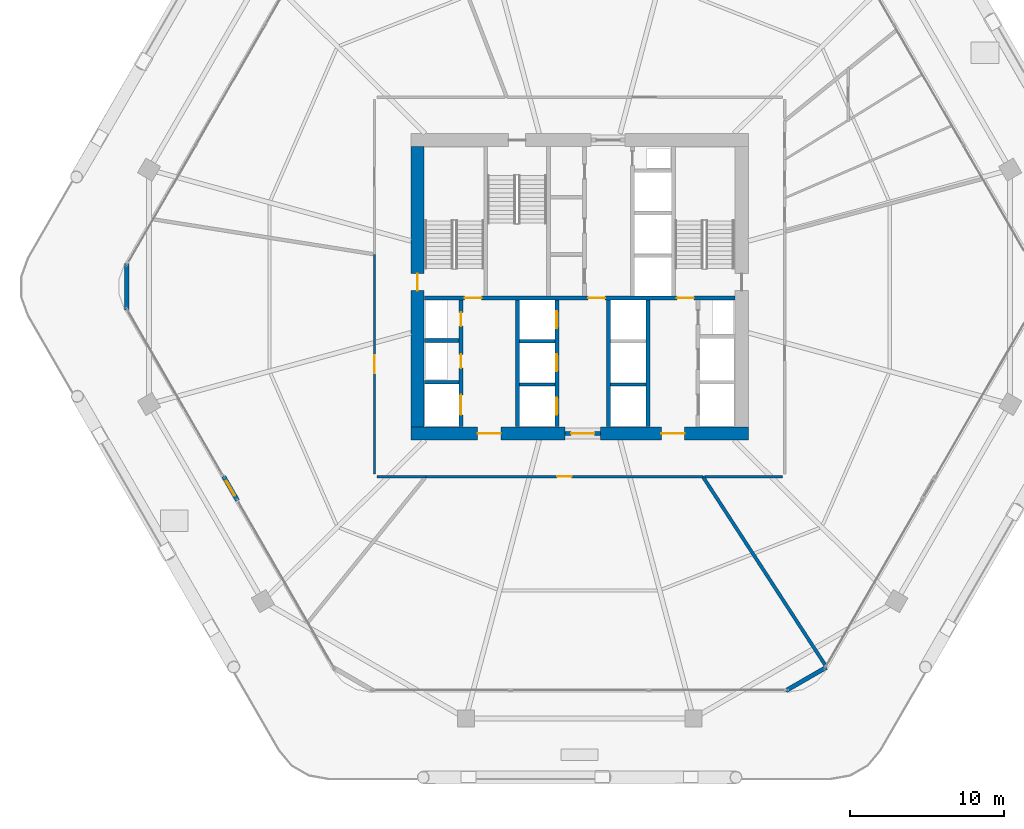
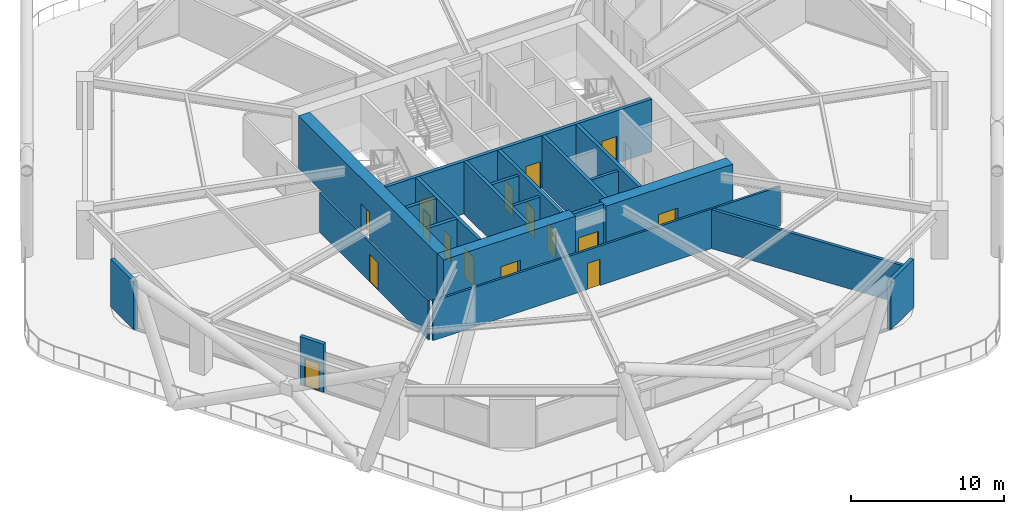
# One storey, part 23 of 28: 23 walls, 16 doors, 16 openings.
"""IFC4 building model written with IfcOpenShell, lengths in metres."""

from ifc_helpers import new_model, si_unit, direction, frame, frame_2d, origin, place, context, subcontext, project, spatial, rectangle, extrude, material, layer, layer_set, type_object, element, fill, save


model = new_model("IFC4")

# Units and contexts
model_context = context("Model", 3, precision=1e-05, world=origin(), true_north=direction((0.0, 1.0)))
body_context = subcontext(model_context, "Body", "Model", "MODEL_VIEW")
ifc_project = project(units=[si_unit("LENGTHUNIT", "METRE"), si_unit("AREAUNIT", "SQUARE_METRE"), si_unit("VOLUMEUNIT", "CUBIC_METRE"), si_unit("PLANEANGLEUNIT", "RADIAN"), si_unit("MASSUNIT", "GRAM", prefix="KILO")], contexts=[model_context])

# Site, building, storey
site_placement = place(None, origin())
site = spatial("IfcSite", under=ifc_project, at=site_placement, CompositionType="ELEMENT")
building_placement = place(site_placement, origin())
building = spatial("IfcBuilding", under=site, at=building_placement, Name="Zuhravey Tower", CompositionType="ELEMENT")
storey_placement = place(building_placement, frame((0.0, 0.0, 83.39990234375)))
storey = spatial("IfcBuildingStorey", under=building, at=storey_placement, Name="L20", CompositionType="ELEMENT", Elevation=83.39990234375)

# Wall, opening, door
ifc_material_1 = material(Name="Concrete C60/75", Category="concrete")
ifc_layer_1 = layer(ifc_material_1, 0.85009765625)
ifc_layer_set_1 = layer_set([ifc_layer_1], Name="Concrete C60/75")
wall_type_1 = type_object("IfcWallType", Name="Core Shear Wall 850", PredefinedType="SHEAR", material=ifc_layer_set_1)
wall_1_placement = place(storey_placement, frame((25.074951171875, 22.5, 0.0), z_axis=(0.0, 0.0, 1.0), x_axis=(1.0, 0.0, 0.0)))
wall_1 = element("IfcWall", 1, at=wall_1_placement, inside=storey, type_object=wall_type_1, Name="L20 South-West Core Shear Wall CW85", PredefinedType="SHEAR", context=body_context, shape_type="SweptSolid", body=[
    extrude(rectangle(XDim=9.97509765625, YDim=0.85009765625, at=frame_2d((4.987548828125, 0.0))), origin(), (0.0, 0.0, 1.0), 4.2001953125),
])
opening_1_placement = place(wall_1_placement, frame((4.324951171875, 0.0, 0.0)))
opening_1 = element("IfcOpeningElement", 2, at=opening_1_placement, cuts=wall_1, Name="Opening FFD1", PredefinedType="OPENING", context=body_context, shape_type="SweptSolid", body=[
    extrude(rectangle(XDim=1.5, YDim=2.14990234375, at=frame_2d((0.75, 1.074951171875))), frame((0.0, 0.43701171875, 0.0), z_axis=(0.0, -1.0, 0.0), x_axis=(1.0, 0.0, 0.0)), (0.0, 0.0, 1.0), 0.8740234375),
])
ifc_material_2 = material(Name="Galvanised fire-rated steel leaf", Category="steel")
door_type_1 = type_object("IfcDoorType", Name="Firefighting Lobby Double Door 1500x2150", OperationType="DOUBLE_DOOR_SINGLE_SWING", PredefinedType="DOOR", material=ifc_material_2)
door_1_placement = place(opening_1_placement, origin())
door_1 = element("IfcDoor", 3, at=door_1_placement, inside=storey, type_object=door_type_1, Name="L20 Firefighting Lobby West Door", OperationType="DOUBLE_DOOR_SINGLE_SWING", OverallHeight=2.14990234375, OverallWidth=1.5, PredefinedType="DOOR", context=body_context, shape_type="SweptSolid", body=[
    extrude(rectangle(XDim=1.5, YDim=2.14990234375, at=frame_2d((0.75, 1.074951171875))), frame((0.0, 0.02490234375, 0.0), z_axis=(0.0, -1.0, 0.0), x_axis=(1.0, 0.0, 0.0)), (0.0, 0.0, 1.0), 0.050048828125),
])
fill(opening_1, door_1)

wall_2_placement = place(storey_placement, frame((37.35009765625, 22.5, 0.0), z_axis=(0.0, 0.0, 1.0), x_axis=(1.0, 0.0, 0.0)))
wall_2 = element("IfcWall", 4, at=wall_2_placement, inside=storey, type_object=wall_type_1, Name="L20 South-East Core Shear Wall CW85", PredefinedType="SHEAR", context=body_context, shape_type="SweptSolid", body=[
    extrude(rectangle(XDim=9.574951171875, YDim=0.85009765625, at=frame_2d((4.78759765625, 0.0))), origin(), (0.0, 0.0, 1.0), 4.2001953125),
])
opening_2_placement = place(wall_2_placement, frame((3.949951171875, 0.0, 0.0)))
opening_2 = element("IfcOpeningElement", 5, at=opening_2_placement, cuts=wall_2, Name="Opening FFD1", PredefinedType="OPENING", context=body_context, shape_type="SweptSolid", body=[
    extrude(rectangle(XDim=1.5, YDim=2.14990234375, at=frame_2d((0.75, 1.074951171875))), frame((0.0, 0.43701171875, 0.0), z_axis=(0.0, -1.0, 0.0), x_axis=(1.0, 0.0, 0.0)), (0.0, 0.0, 1.0), 0.8740234375),
])
door_2_placement = place(opening_2_placement, origin())
door_2 = element("IfcDoor", 6, at=door_2_placement, inside=storey, type_object=door_type_1, Name="L20 Firefighting Lobby East Door", OperationType="DOUBLE_DOOR_SINGLE_SWING", OverallHeight=2.14990234375, OverallWidth=1.5, PredefinedType="DOOR", context=body_context, shape_type="SweptSolid", body=[
    extrude(rectangle(XDim=1.5, YDim=2.14990234375, at=frame_2d((0.75, 1.074951171875))), frame((0.0, 0.02490234375, 0.0), z_axis=(0.0, -1.0, 0.0), x_axis=(1.0, 0.0, 0.0)), (0.0, 0.0, 1.0), 0.050048828125),
])
fill(opening_2, door_2)

wall_3_placement = place(storey_placement, frame((25.5, 22.925048828125, 0.0), z_axis=(0.0, 0.0, 1.0), x_axis=(0.0, 1.0, 0.0)))
wall_3 = element("IfcWall", 7, at=wall_3_placement, inside=storey, type_object=wall_type_1, Name="L20 West Core Shear Wall CW85", PredefinedType="SHEAR", context=body_context, shape_type="SweptSolid", body=[
    extrude(rectangle(XDim=18.14990234375, YDim=0.85009765625, at=frame_2d((9.074951171875, 0.0))), origin(), (0.0, 0.0, 1.0), 4.2001953125),
])
opening_3_placement = place(wall_3_placement, frame((8.824951171875, 0.0, 0.0)))
opening_3 = element("IfcOpeningElement", 8, at=opening_3_placement, cuts=wall_3, Name="Opening STD1", PredefinedType="OPENING", context=body_context, shape_type="SweptSolid", body=[
    extrude(rectangle(XDim=1.10009765625, YDim=2.14990234375, at=frame_2d((0.550048828125, 1.074951171875))), frame((0.0, 0.43701171875, 0.0), z_axis=(0.0, -1.0, 0.0), x_axis=(1.0, 0.0, 0.0)), (0.0, 0.0, 1.0), 0.8740234375),
])
door_type_2 = type_object("IfcDoorType", Name="Protected Stair Fire Door 1100x2150", OperationType="NOTDEFINED", PredefinedType="USERDEFINED", material=ifc_material_2)
door_3_placement = place(opening_3_placement, frame((1.10009765625, 0.0, 0.0), z_axis=(0.0, 0.0, 1.0), x_axis=(-1.0, 0.0, 0.0)))
door_3 = element("IfcDoor", 9, at=door_3_placement, inside=storey, type_object=door_type_2, Name="L20 Stair ST1 Door", ObjectType="EXITDOOR", OperationType="SINGLE_SWING_RIGHT", OverallHeight=2.14990234375, OverallWidth=1.10009765625, PredefinedType="USERDEFINED", context=body_context, shape_type="SweptSolid", body=[
    extrude(rectangle(XDim=1.10009765625, YDim=2.14990234375, at=frame_2d((0.550048828125, 1.074951171875))), frame((0.0, 0.02490234375, 0.0), z_axis=(0.0, -1.0, 0.0), x_axis=(1.0, 0.0, 0.0)), (0.0, 0.0, 1.0), 0.050048828125),
])
fill(opening_3, door_3)

ifc_material_3 = material(Name="Gypsum fire-rated stud partition")
ifc_layer_2 = layer(ifc_material_3, 0.159912109375)
ifc_layer_set_2 = layer_set([ifc_layer_2], Name="Gypsum fire-rated stud partition")
wall_type_2 = type_object("IfcWallType", Name="Corridor Fire Partition 160", PredefinedType="PARTITIONING", material=ifc_layer_set_2)
wall_4_placement = place(storey_placement, frame((22.715087890625, 34.10400390625, 0.0), z_axis=(0.0, 0.0, 1.0), x_axis=(0.0, -1.0, 0.0)))
wall_4 = element("IfcWall", 10, at=wall_4_placement, inside=storey, type_object=wall_type_2, Name="L20 IW16 Partition 025", PredefinedType="PARTITIONING", context=body_context, shape_type="SweptSolid", body=[
    extrude(rectangle(XDim=14.22900390625, YDim=0.159912109375, at=frame_2d((7.114501953125, 0.0))), origin(), (0.0, 0.0, 1.0), 3.150146484375),
])
opening_4_placement = place(wall_4_placement, frame((6.53955078125, 0.0, 0.0)))
opening_4 = element("IfcOpeningElement", 11, at=opening_4_placement, cuts=wall_4, Name="Opening CLD1", PredefinedType="OPENING", context=body_context, shape_type="SweptSolid", body=[
    extrude(rectangle(XDim=1.14990234375, YDim=2.199951171875, at=frame_2d((0.574951171875, 1.10009765625))), frame((0.0, 0.092041015625, 0.0), z_axis=(0.0, -1.0, 0.0), x_axis=(1.0, 0.0, 0.0)), (0.0, 0.0, 1.0), 0.183837890625),
])
ifc_material_4 = material(Name="Acoustic timber leaf with vision lite", Category="wood")
door_type_3 = type_object("IfcDoorType", Name="Classroom Acoustic Door 1150x2200", OperationType="NOTDEFINED", PredefinedType="DOOR", material=ifc_material_4)
door_4_placement = place(opening_4_placement, frame((1.14990234375, 0.0, 0.0), z_axis=(0.0, 0.0, 1.0), x_axis=(-1.0, 0.0, 0.0)))
door_4 = element("IfcDoor", 12, at=door_4_placement, inside=storey, type_object=door_type_3, Name="L20 Door 025.1", OperationType="SINGLE_SWING_RIGHT", OverallHeight=2.199951171875, OverallWidth=1.14990234375, PredefinedType="DOOR", context=body_context, shape_type="SweptSolid", body=[
    extrude(rectangle(XDim=1.14990234375, YDim=2.199951171875, at=frame_2d((0.574951171875, 1.10009765625))), frame((0.0, 0.02490234375, 0.0), z_axis=(0.0, -1.0, 0.0), x_axis=(1.0, 0.0, 0.0)), (0.0, 0.0, 1.0), 0.050048828125),
])
fill(opening_4, door_4)

wall_5_placement = place(storey_placement, frame((26.0517578125, 19.715087890625, 0.0), z_axis=(0.0, 0.0, 1.0), x_axis=(1.0, 0.0, 0.0)))
wall_5 = element("IfcWall", 13, at=wall_5_placement, inside=storey, type_object=wall_type_2, Name="L20 IW16 Partition 026", PredefinedType="PARTITIONING", context=body_context, shape_type="SweptSolid", body=[
    extrude(rectangle(XDim=17.92626953125, YDim=0.159912109375, at=frame_2d((8.963134765625, 0.0))), origin(), (0.0, 0.0, 1.0), 3.150146484375),
])
opening_5_placement = place(wall_5_placement, frame((8.488037109375, 0.0, 0.0)))
opening_5 = element("IfcOpeningElement", 14, at=opening_5_placement, cuts=wall_5, Name="Opening IND1", PredefinedType="OPENING", context=body_context, shape_type="SweptSolid", body=[
    extrude(rectangle(XDim=0.949951171875, YDim=2.10009765625, at=frame_2d((0.47509765625, 1.050048828125))), frame((0.0, 0.092041015625, 0.0), z_axis=(0.0, -1.0, 0.0), x_axis=(1.0, 0.0, 0.0)), (0.0, 0.0, 1.0), 0.183837890625),
])
ifc_material_5 = material(Name="Painted engineered timber leaf", Category="wood")
door_type_4 = type_object("IfcDoorType", Name="Internal Room & Bedroom Door 950x2100", OperationType="NOTDEFINED", PredefinedType="DOOR", material=ifc_material_5)
door_5_placement = place(opening_5_placement, frame((0.949951171875, 0.0, 0.0), z_axis=(0.0, 0.0, 1.0), x_axis=(-1.0, 0.0, 0.0)))
door_5 = element("IfcDoor", 15, at=door_5_placement, inside=storey, type_object=door_type_4, Name="L20 Door 026.1", OperationType="SINGLE_SWING_LEFT", OverallHeight=2.10009765625, OverallWidth=0.949951171875, PredefinedType="DOOR", context=body_context, shape_type="SweptSolid", body=[
    extrude(rectangle(XDim=0.949951171875, YDim=2.10009765625, at=frame_2d((0.47509765625, 1.050048828125))), frame((0.0, 0.02490234375, 0.0), z_axis=(0.0, -1.0, 0.0), x_axis=(1.0, 0.0, 0.0)), (0.0, 0.0, 1.0), 0.050048828125),
])
fill(opening_5, door_5)

# Walls
wall_6_placement = place(storey_placement, frame((22.875, 19.715087890625, 0.0), z_axis=(0.0, 0.0, 1.0), x_axis=(1.0, 0.0, 0.0)))
element("IfcWall", 16, at=wall_6_placement, inside=storey, type_object=wall_type_2, Name="L20 IW16 Partition 047", PredefinedType="PARTITIONING", context=body_context, shape_type="SweptSolid", body=[
    extrude(rectangle(XDim=3.1767578125, YDim=0.159912109375, at=frame_2d((1.58837890625, 0.0))), origin(), (0.0, 0.0, 1.0), 3.150146484375),
])
wall_7_placement = place(storey_placement, frame((44.11865234375, 19.715087890625, 0.0), z_axis=(0.0, 0.0, 1.0), x_axis=(1.0, 0.0, 0.0)))
element("IfcWall", 17, at=wall_7_placement, inside=storey, type_object=wall_type_2, Name="L20 IW16 Partition 050", PredefinedType="PARTITIONING", context=body_context, shape_type="SweptSolid", body=[
    extrude(rectangle(XDim=5.00634765625, YDim=0.159912109375, at=frame_2d((2.503173828125, 0.0))), origin(), (0.0, 0.0, 1.0), 3.150146484375),
])
ifc_material_6 = material(Name="Precast concrete C40/50", Category="concrete")
ifc_layer_3 = layer(ifc_material_6, 0.280029296875)
ifc_layer_set_3 = layer_set([ifc_layer_3], Name="Precast concrete C40/50")
wall_type_3 = type_object("IfcWallType", Name="Crown Architectural Wall 280", PredefinedType="SOLIDWALL", material=ifc_layer_set_3)
wall_8_placement = place(storey_placement, frame((51.971435546875, 7.3515625, 0.0), z_axis=(0.0, 0.0, 1.0), x_axis=(-0.866017028182, -0.500014506688, 0.0)))
element("IfcWall", 18, at=wall_8_placement, inside=storey, type_object=wall_type_3, Name="L20 Rounded Corner Closure Wall EW28-02", PredefinedType="SOLIDWALL", context=body_context, shape_type="SweptSolid", body=[
    extrude(rectangle(XDim=3.01513671875, YDim=0.280029296875, at=frame_2d((1.507568359375, 0.0))), origin(), (0.0, 0.0, 1.0), 3.85009765625),
])

# Wall, opening, door
wall_9_placement = place(storey_placement, frame((13.8369140625, 18.170654296875, 0.0), z_axis=(0.0, 0.0, 1.0), x_axis=(-0.500041240653, 0.866001592173, 0.0)))
wall_9 = element("IfcWall", 19, at=wall_9_placement, inside=storey, type_object=wall_type_3, Name="L20 Face 4 Facade Pier EW28-1", PredefinedType="SOLIDWALL", context=body_context, shape_type="SweptSolid", body=[
    extrude(rectangle(XDim=1.789794921875, YDim=0.280029296875, at=frame_2d((0.89501953125, 0.0))), origin(), (0.0, 0.0, 1.0), 3.85009765625),
])
opening_6_placement = place(wall_9_placement, frame((0.344970703125, 0.0, 0.0)))
opening_6 = element("IfcOpeningElement", 20, at=opening_6_placement, cuts=wall_9, Name="Opening BLD1", PredefinedType="OPENING", context=body_context, shape_type="SweptSolid", body=[
    extrude(rectangle(XDim=1.10009765625, YDim=2.199951171875, at=frame_2d((0.550048828125, 1.10009765625))), frame((0.0, 0.152099609375, 0.0), z_axis=(0.0, -1.0, 0.0), x_axis=(1.0, 0.0, 0.0)), (0.0, 0.0, 1.0), 0.303955078125),
])
ifc_material_7 = material(Name="Thermally broken aluminium and low-E glass", Category="aluminium")
door_type_5 = type_object("IfcDoorType", Name="Balcony & Sky-Tray Glazed Door 1100x2200", OperationType="NOTDEFINED", PredefinedType="DOOR", material=ifc_material_7)
door_6_placement = place(opening_6_placement, frame((1.10009765625, 0.0, 0.0), z_axis=(0.0, 0.0, 1.0), x_axis=(-1.0, 0.0, 0.0)))
door_6 = element("IfcDoor", 21, at=door_6_placement, inside=storey, type_object=door_type_5, Name="L20 Sky-Playground Terrace Door 4", OperationType="SINGLE_SWING_LEFT", OverallHeight=2.199951171875, OverallWidth=1.10009765625, PredefinedType="DOOR", context=body_context, shape_type="SweptSolid", body=[
    extrude(rectangle(XDim=1.10009765625, YDim=2.199951171875, at=frame_2d((0.550048828125, 1.10009765625))), frame((0.0, 0.02490234375, 0.0), z_axis=(0.0, -1.0, 0.0), x_axis=(1.0, 0.0, 0.0)), (0.0, 0.0, 1.0), 0.050048828125),
])
fill(opening_6, door_6)

# Wall
wall_10_placement = place(storey_placement, frame((6.668212890625, 30.492431640625, 0.0), z_axis=(0.0, 0.0, 1.0), x_axis=(0.0, 1.0, 0.0)))
element("IfcWall", 22, at=wall_10_placement, inside=storey, type_object=wall_type_3, Name="L20 Rounded Corner Closure Wall EW28-06", PredefinedType="SOLIDWALL", context=body_context, shape_type="SweptSolid", body=[
    extrude(rectangle(XDim=3.01513671875, YDim=0.280029296875, at=frame_2d((1.507568359375, 0.0))), origin(), (0.0, 0.0, 1.0), 3.85009765625),
])

# Wall, opening, door
ifc_material_8 = material(Name="Concrete C50/60", Category="concrete")
ifc_layer_4 = layer(ifc_material_8, 0.25)
ifc_layer_set_4 = layer_set([ifc_layer_4], Name="Concrete C50/60")
wall_type_4 = type_object("IfcWallType", Name="Firefighting Shaft & Stair Wall 250", PredefinedType="SOLIDWALL", material=ifc_layer_set_4)
wall_11_placement = place(storey_placement, frame((35.06005859375, 22.5, 0.0), z_axis=(0.0, 0.0, 1.0), x_axis=(1.0, 0.0, 0.0)))
wall_11 = element("IfcWall", 23, at=wall_11_placement, inside=storey, type_object=wall_type_4, Name="L20 FW25 Shaft Wall 001", PredefinedType="SOLIDWALL", context=body_context, shape_type="SweptSolid", body=[
    extrude(rectangle(XDim=2.280029296875, YDim=0.25, at=frame_2d((1.14013671875, 0.0))), origin(), (0.0, 0.0, 1.0), 4.2001953125),
])
opening_7_placement = place(wall_11_placement, frame((0.389892578125, 0.0, 0.0)))
opening_7 = element("IfcOpeningElement", 24, at=opening_7_placement, cuts=wall_11, Name="Opening FFD1", PredefinedType="OPENING", context=body_context, shape_type="SweptSolid", body=[
    extrude(rectangle(XDim=1.5, YDim=2.14990234375, at=frame_2d((0.75, 1.074951171875))), frame((0.0, 0.136962890625, 0.0), z_axis=(0.0, -1.0, 0.0), x_axis=(1.0, 0.0, 0.0)), (0.0, 0.0, 1.0), 0.27392578125),
])
door_7_placement = place(opening_7_placement, frame((1.5, 0.0, 0.0), z_axis=(0.0, 0.0, 1.0), x_axis=(-1.0, 0.0, 0.0)))
door_7 = element("IfcDoor", 25, at=door_7_placement, inside=storey, type_object=door_type_1, Name="L20 South Lift Lobby Exit Door", OperationType="DOUBLE_DOOR_SINGLE_SWING", OverallHeight=2.14990234375, OverallWidth=1.5, PredefinedType="DOOR", context=body_context, shape_type="SweptSolid", body=[
    extrude(rectangle(XDim=1.5, YDim=2.14990234375, at=frame_2d((0.75, 1.074951171875))), frame((0.0, 0.02490234375, 0.0), z_axis=(0.0, -1.0, 0.0), x_axis=(1.0, 0.0, 0.0)), (0.0, 0.0, 1.0), 0.050048828125),
])
fill(opening_7, door_7)

# Wall, openings, doors
wall_12_placement = place(storey_placement, frame((25.949951171875, 31.27490234375, 0.0), z_axis=(0.0, 0.0, 1.0), x_axis=(1.0, 0.0, 0.0)))
wall_12 = element("IfcWall", 26, at=wall_12_placement, inside=storey, type_object=wall_type_4, Name="L20 FW25 Shaft Wall 003", PredefinedType="SOLIDWALL", context=body_context, shape_type="SweptSolid", body=[
    extrude(rectangle(XDim=20.10009765625, YDim=0.25, at=frame_2d((10.050048828125, 0.0))), origin(), (0.0, 0.0, 1.0), 4.2001953125),
])
opening_8_placement = place(wall_12_placement, frame((2.60009765625, 0.0, 0.0)))
opening_8 = element("IfcOpeningElement", 27, at=opening_8_placement, cuts=wall_12, Name="Opening STD1", PredefinedType="OPENING", context=body_context, shape_type="SweptSolid", body=[
    extrude(rectangle(XDim=1.10009765625, YDim=2.14990234375, at=frame_2d((0.550048828125, 1.074951171875))), frame((0.0, 0.136962890625, 0.0), z_axis=(0.0, -1.0, 0.0), x_axis=(1.0, 0.0, 0.0)), (0.0, 0.0, 1.0), 0.27392578125),
])
opening_9_placement = place(wall_12_placement, frame((10.60009765625, 0.0, 0.0)))
opening_9 = element("IfcOpeningElement", 28, at=opening_9_placement, cuts=wall_12, Name="Opening STD1", PredefinedType="OPENING", context=body_context, shape_type="SweptSolid", body=[
    extrude(rectangle(XDim=1.10009765625, YDim=2.14990234375, at=frame_2d((0.550048828125, 1.074951171875))), frame((0.0, 0.136962890625, 0.0), z_axis=(0.0, -1.0, 0.0), x_axis=(1.0, 0.0, 0.0)), (0.0, 0.0, 1.0), 0.27392578125),
])
opening_10_placement = place(wall_12_placement, frame((16.35009765625, 0.0, 0.0)))
opening_10 = element("IfcOpeningElement", 29, at=opening_10_placement, cuts=wall_12, Name="Opening STD1", PredefinedType="OPENING", context=body_context, shape_type="SweptSolid", body=[
    extrude(rectangle(XDim=1.10009765625, YDim=2.14990234375, at=frame_2d((0.550048828125, 1.074951171875))), frame((0.0, 0.136962890625, 0.0), z_axis=(0.0, -1.0, 0.0), x_axis=(1.0, 0.0, 0.0)), (0.0, 0.0, 1.0), 0.27392578125),
])
door_8_placement = place(opening_8_placement, origin())
door_8 = element("IfcDoor", 30, at=door_8_placement, inside=storey, type_object=door_type_2, Name="L20 FFL-W to ST1 Door", ObjectType="EXITDOOR", OperationType="SINGLE_SWING_LEFT", OverallHeight=2.14990234375, OverallWidth=1.10009765625, PredefinedType="USERDEFINED", context=body_context, shape_type="SweptSolid", body=[
    extrude(rectangle(XDim=1.10009765625, YDim=2.14990234375, at=frame_2d((0.550048828125, 1.074951171875))), frame((0.0, 0.02490234375, 0.0), z_axis=(0.0, -1.0, 0.0), x_axis=(1.0, 0.0, 0.0)), (0.0, 0.0, 1.0), 0.050048828125),
])
fill(opening_8, door_8)
door_9_placement = place(opening_9_placement, origin())
door_9 = element("IfcDoor", 31, at=door_9_placement, inside=storey, type_object=door_type_2, Name="L20 Core Lobby Link Door", ObjectType="EXITDOOR", OperationType="SINGLE_SWING_RIGHT", OverallHeight=2.14990234375, OverallWidth=1.10009765625, PredefinedType="USERDEFINED", context=body_context, shape_type="SweptSolid", body=[
    extrude(rectangle(XDim=1.10009765625, YDim=2.14990234375, at=frame_2d((0.550048828125, 1.074951171875))), frame((0.0, 0.02490234375, 0.0), z_axis=(0.0, -1.0, 0.0), x_axis=(1.0, 0.0, 0.0)), (0.0, 0.0, 1.0), 0.050048828125),
])
fill(opening_9, door_9)
door_10_placement = place(opening_10_placement, origin())
door_10 = element("IfcDoor", 32, at=door_10_placement, inside=storey, type_object=door_type_2, Name="L20 FFL-E to ST2 Door", ObjectType="EXITDOOR", OperationType="SINGLE_SWING_LEFT", OverallHeight=2.14990234375, OverallWidth=1.10009765625, PredefinedType="USERDEFINED", context=body_context, shape_type="SweptSolid", body=[
    extrude(rectangle(XDim=1.10009765625, YDim=2.14990234375, at=frame_2d((0.550048828125, 1.074951171875))), frame((0.0, 0.02490234375, 0.0), z_axis=(0.0, -1.0, 0.0), x_axis=(1.0, 0.0, 0.0)), (0.0, 0.0, 1.0), 0.050048828125),
])
fill(opening_10, door_10)

# Walls
for number, where, z_axis, x_axis, name in (
    (33, (25.949951171875, 25.824951171875, 0.0), (0.0, 0.0, 1.0), (1.0, 0.0, 0.0), "L20 FW25 Shaft Wall 009"),
    (34, (25.949951171875, 28.52490234375, 0.0), (0.0, 0.0, 1.0), (1.0, 0.0, 0.0), "L20 FW25 Shaft Wall 010"),
):
    element("IfcWall", number, at=place(storey_placement, frame(where, z_axis=z_axis, x_axis=x_axis)), inside=storey, type_object=wall_type_4, Name=name, PredefinedType="SOLIDWALL", context=body_context, shape_type="SweptSolid", body=[
        extrude(rectangle(XDim=2.25, YDim=0.25, at=frame_2d((1.125, 0.0))), origin(), (0.0, 0.0, 1.0), 4.2001953125),
    ])

# Wall, openings, doors
wall_13_placement = place(storey_placement, frame((28.324951171875, 22.949951171875, 0.0), z_axis=(0.0, 0.0, 1.0), x_axis=(0.0, 1.0, 0.0)))
wall_13 = element("IfcWall", 35, at=wall_13_placement, inside=storey, type_object=wall_type_4, Name="L20 FW25 Shaft Wall 011", PredefinedType="SOLIDWALL", context=body_context, shape_type="SweptSolid", body=[
    extrude(rectangle(XDim=8.199951171875, YDim=0.25, at=frame_2d((4.10009765625, 0.0))), origin(), (0.0, 0.0, 1.0), 4.2001953125),
])
opening_11_placement = place(wall_13_placement, frame((0.75, 0.0, 0.0)))
opening_11 = element("IfcOpeningElement", 36, at=opening_11_placement, cuts=wall_13, Name="Opening LD2", PredefinedType="OPENING", context=body_context, shape_type="SweptSolid", body=[
    extrude(rectangle(XDim=1.300048828125, YDim=2.300048828125, at=frame_2d((0.64990234375, 1.14990234375))), frame((0.0, 0.136962890625, 0.0), z_axis=(0.0, -1.0, 0.0), x_axis=(1.0, 0.0, 0.0)), (0.0, 0.0, 1.0), 0.27392578125),
])
opening_12_placement = place(wall_13_placement, frame((3.780029296875, 0.0, 0.0)))
opening_12 = element("IfcOpeningElement", 37, at=opening_12_placement, cuts=wall_13, Name="Opening RSD1", PredefinedType="OPENING", context=body_context, shape_type="SweptSolid", body=[
    extrude(rectangle(XDim=0.89990234375, YDim=2.10009765625, at=frame_2d((0.449951171875, 1.050048828125))), frame((0.0, 0.136962890625, 0.0), z_axis=(0.0, -1.0, 0.0), x_axis=(1.0, 0.0, 0.0)), (0.0, 0.0, 1.0), 0.27392578125),
])
opening_13_placement = place(wall_13_placement, frame((6.5, 0.0, 0.0)))
opening_13 = element("IfcOpeningElement", 38, at=opening_13_placement, cuts=wall_13, Name="Opening RSD1", PredefinedType="OPENING", context=body_context, shape_type="SweptSolid", body=[
    extrude(rectangle(XDim=0.89990234375, YDim=2.10009765625, at=frame_2d((0.449951171875, 1.050048828125))), frame((0.0, 0.136962890625, 0.0), z_axis=(0.0, -1.0, 0.0), x_axis=(1.0, 0.0, 0.0)), (0.0, 0.0, 1.0), 0.27392578125),
])
ifc_material_9 = material(Name="Brushed stainless steel", Category="steel")
door_type_6 = type_object("IfcDoorType", Name="Freight & Stretcher Lift Sliding Door 1300x2300", OperationType="DOUBLE_DOOR_SLIDING", PredefinedType="DOOR", material=ifc_material_9)
door_11_placement = place(opening_11_placement, frame((1.300048828125, 0.0, 0.0), z_axis=(0.0, 0.0, 1.0), x_axis=(-1.0, 0.0, 0.0)))
door_11 = element("IfcDoor", 39, at=door_11_placement, inside=storey, type_object=door_type_6, Name="L20 Lift FF1 Landing Door", OperationType="DOUBLE_DOOR_SLIDING", OverallHeight=2.300048828125, OverallWidth=1.300048828125, PredefinedType="DOOR", context=body_context, shape_type="SweptSolid", body=[
    extrude(rectangle(XDim=1.300048828125, YDim=2.300048828125, at=frame_2d((0.64990234375, 1.14990234375))), frame((0.0, 0.02490234375, 0.0), z_axis=(0.0, -1.0, 0.0), x_axis=(1.0, 0.0, 0.0)), (0.0, 0.0, 1.0), 0.050048828125),
])
fill(opening_11, door_11)
ifc_material_10 = material(Name="Galvanised fire-rated steel access leaf", Category="steel")
door_type_7 = type_object("IfcDoorType", Name="Riser & Shaft Access Fire Door 900x2100", OperationType="NOTDEFINED", PredefinedType="DOOR", material=ifc_material_10)
door_12_placement = place(opening_12_placement, frame((0.89990234375, 0.0, 0.0), z_axis=(0.0, 0.0, 1.0), x_axis=(-1.0, 0.0, 0.0)))
door_12 = element("IfcDoor", 40, at=door_12_placement, inside=storey, type_object=door_type_7, Name="L20 Electrical Riser Door", OperationType="SINGLE_SWING_RIGHT", OverallHeight=2.10009765625, OverallWidth=0.89990234375, PredefinedType="DOOR", context=body_context, shape_type="SweptSolid", body=[
    extrude(rectangle(XDim=0.89990234375, YDim=2.10009765625, at=frame_2d((0.449951171875, 1.050048828125))), frame((0.0, 0.02490234375, 0.0), z_axis=(0.0, -1.0, 0.0), x_axis=(1.0, 0.0, 0.0)), (0.0, 0.0, 1.0), 0.050048828125),
])
fill(opening_12, door_12)
door_13_placement = place(opening_13_placement, frame((0.89990234375, 0.0, 0.0), z_axis=(0.0, 0.0, 1.0), x_axis=(-1.0, 0.0, 0.0)))
door_13 = element("IfcDoor", 41, at=door_13_placement, inside=storey, type_object=door_type_7, Name="L20 Smoke Shaft Access Door", OperationType="SINGLE_SWING_LEFT", OverallHeight=2.10009765625, OverallWidth=0.89990234375, PredefinedType="DOOR", context=body_context, shape_type="SweptSolid", body=[
    extrude(rectangle(XDim=0.89990234375, YDim=2.10009765625, at=frame_2d((0.449951171875, 1.050048828125))), frame((0.0, 0.02490234375, 0.0), z_axis=(0.0, -1.0, 0.0), x_axis=(1.0, 0.0, 0.0)), (0.0, 0.0, 1.0), 0.050048828125),
])
fill(opening_13, door_13)

# Wall
wall_14_placement = place(storey_placement, frame((31.97509765625, 22.949951171875, 0.0), z_axis=(0.0, 0.0, 1.0), x_axis=(0.0, 1.0, 0.0)))
element("IfcWall", 42, at=wall_14_placement, inside=storey, type_object=wall_type_4, Name="L20 FW25 Shaft Wall 012", PredefinedType="SOLIDWALL", context=body_context, shape_type="SweptSolid", body=[
    extrude(rectangle(XDim=8.199951171875, YDim=0.25, at=frame_2d((4.10009765625, 0.0))), origin(), (0.0, 0.0, 1.0), 4.2001953125),
])

# Wall, openings, doors
wall_15_placement = place(storey_placement, frame((34.52490234375, 22.949951171875, 0.0), z_axis=(0.0, 0.0, 1.0), x_axis=(0.0, 1.0, 0.0)))
wall_15 = element("IfcWall", 43, at=wall_15_placement, inside=storey, type_object=wall_type_4, Name="L20 FW25 Shaft Wall 013", PredefinedType="SOLIDWALL", context=body_context, shape_type="SweptSolid", body=[
    extrude(rectangle(XDim=8.199951171875, YDim=0.25, at=frame_2d((4.10009765625, 0.0))), origin(), (0.0, 0.0, 1.0), 4.2001953125),
])
opening_14_placement = place(wall_15_placement, frame((0.77490234375, 0.0, 0.0)))
opening_14 = element("IfcOpeningElement", 44, at=opening_14_placement, cuts=wall_15, Name="Opening LD1", PredefinedType="OPENING", context=body_context, shape_type="SweptSolid", body=[
    extrude(rectangle(XDim=1.10009765625, YDim=2.199951171875, at=frame_2d((0.550048828125, 1.10009765625))), frame((0.0, 0.136962890625, 0.0), z_axis=(0.0, -1.0, 0.0), x_axis=(1.0, 0.0, 0.0)), (0.0, 0.0, 1.0), 0.27392578125),
])
opening_15_placement = place(wall_15_placement, frame((3.574951171875, 0.0, 0.0)))
opening_15 = element("IfcOpeningElement", 45, at=opening_15_placement, cuts=wall_15, Name="Opening LD1", PredefinedType="OPENING", context=body_context, shape_type="SweptSolid", body=[
    extrude(rectangle(XDim=1.10009765625, YDim=2.199951171875, at=frame_2d((0.550048828125, 1.10009765625))), frame((0.0, 0.136962890625, 0.0), z_axis=(0.0, -1.0, 0.0), x_axis=(1.0, 0.0, 0.0)), (0.0, 0.0, 1.0), 0.27392578125),
])
opening_16_placement = place(wall_15_placement, frame((6.375, 0.0, 0.0)))
opening_16 = element("IfcOpeningElement", 46, at=opening_16_placement, cuts=wall_15, Name="Opening LD1", PredefinedType="OPENING", context=body_context, shape_type="SweptSolid", body=[
    extrude(rectangle(XDim=1.10009765625, YDim=2.199951171875, at=frame_2d((0.550048828125, 1.10009765625))), frame((0.0, 0.136962890625, 0.0), z_axis=(0.0, -1.0, 0.0), x_axis=(1.0, 0.0, 0.0)), (0.0, 0.0, 1.0), 0.27392578125),
])
door_type_8 = type_object("IfcDoorType", Name="Lift Landing Sliding Door 1100x2200", OperationType="DOUBLE_DOOR_SLIDING", PredefinedType="DOOR", material=ifc_material_9)
door_14_placement = place(opening_14_placement, frame((1.10009765625, 0.0, 0.0), z_axis=(0.0, 0.0, 1.0), x_axis=(-1.0, 0.0, 0.0)))
door_14 = element("IfcDoor", 47, at=door_14_placement, inside=storey, type_object=door_type_8, Name="L20 Lift PL1 Landing Door", OperationType="DOUBLE_DOOR_SLIDING", OverallHeight=2.199951171875, OverallWidth=1.10009765625, PredefinedType="DOOR", context=body_context, shape_type="SweptSolid", body=[
    extrude(rectangle(XDim=1.10009765625, YDim=2.199951171875, at=frame_2d((0.550048828125, 1.10009765625))), frame((0.0, 0.02490234375, 0.0), z_axis=(0.0, -1.0, 0.0), x_axis=(1.0, 0.0, 0.0)), (0.0, 0.0, 1.0), 0.050048828125),
])
fill(opening_14, door_14)
door_15_placement = place(opening_15_placement, frame((1.10009765625, 0.0, 0.0), z_axis=(0.0, 0.0, 1.0), x_axis=(-1.0, 0.0, 0.0)))
door_15 = element("IfcDoor", 48, at=door_15_placement, inside=storey, type_object=door_type_8, Name="L20 Lift PL2 Landing Door", OperationType="DOUBLE_DOOR_SLIDING", OverallHeight=2.199951171875, OverallWidth=1.10009765625, PredefinedType="DOOR", context=body_context, shape_type="SweptSolid", body=[
    extrude(rectangle(XDim=1.10009765625, YDim=2.199951171875, at=frame_2d((0.550048828125, 1.10009765625))), frame((0.0, 0.02490234375, 0.0), z_axis=(0.0, -1.0, 0.0), x_axis=(1.0, 0.0, 0.0)), (0.0, 0.0, 1.0), 0.050048828125),
])
fill(opening_15, door_15)
door_16_placement = place(opening_16_placement, frame((1.10009765625, 0.0, 0.0), z_axis=(0.0, 0.0, 1.0), x_axis=(-1.0, 0.0, 0.0)))
door_16 = element("IfcDoor", 49, at=door_16_placement, inside=storey, type_object=door_type_8, Name="L20 Lift PL3 Landing Door", OperationType="DOUBLE_DOOR_SLIDING", OverallHeight=2.199951171875, OverallWidth=1.10009765625, PredefinedType="DOOR", context=body_context, shape_type="SweptSolid", body=[
    extrude(rectangle(XDim=1.10009765625, YDim=2.199951171875, at=frame_2d((0.550048828125, 1.10009765625))), frame((0.0, 0.02490234375, 0.0), z_axis=(0.0, -1.0, 0.0), x_axis=(1.0, 0.0, 0.0)), (0.0, 0.0, 1.0), 0.050048828125),
])
fill(opening_16, door_16)

# Walls
for number, where, z_axis, x_axis, name in (
    (50, (37.875, 22.949951171875, 0.0), (0.0, 0.0, 1.0), (0.0, 1.0, 0.0), "L20 FW25 Shaft Wall 014"),
    (51, (40.425048828125, 22.949951171875, 0.0), (0.0, 0.0, 1.0), (0.0, 1.0, 0.0), "L20 FW25 Shaft Wall 015"),
):
    element("IfcWall", number, at=place(storey_placement, frame(where, z_axis=z_axis, x_axis=x_axis)), inside=storey, type_object=wall_type_4, Name=name, PredefinedType="SOLIDWALL", context=body_context, shape_type="SweptSolid", body=[
        extrude(rectangle(XDim=8.199951171875, YDim=0.25, at=frame_2d((4.10009765625, 0.0))), origin(), (0.0, 0.0, 1.0), 4.2001953125),
    ])
ifc_material_11 = material(Name="Gypsum acoustic stud assembly")
ifc_layer_5 = layer(ifc_material_11, 0.219970703125)
ifc_layer_set_5 = layer_set([ifc_layer_5], Name="Gypsum acoustic stud assembly")
wall_type_5 = type_object("IfcWallType", Name="School Acoustic Compartment Wall 220", PredefinedType="PARTITIONING", material=ifc_layer_set_5)
for number, where, z_axis, x_axis, name in (
    (52, (32.10791015625, 25.675048828125, 0.0), (0.0, 0.0, 1.0), (1.0, 0.0, 0.0), "L20 IW22 Partition 033"),
    (53, (32.10791015625, 28.47509765625, 0.0), (0.0, 0.0, 1.0), (1.0, 0.0, 0.0), "L20 IW22 Partition 034"),
):
    element("IfcWall", number, at=place(storey_placement, frame(where, z_axis=z_axis, x_axis=x_axis)), inside=storey, type_object=wall_type_5, Name=name, PredefinedType="PARTITIONING", context=body_context, shape_type="SweptSolid", body=[
        extrude(rectangle(XDim=2.2841796875, YDim=0.219970703125, at=frame_2d((1.14208984375, 0.0))), origin(), (0.0, 0.0, 1.0), 3.85009765625),
    ])
wall_16_placement = place(storey_placement, frame((38.008056640625, 25.675048828125, 0.0), z_axis=(0.0, 0.0, 1.0), x_axis=(1.0, 0.0, 0.0)))
element("IfcWall", 54, at=wall_16_placement, inside=storey, type_object=wall_type_5, Name="L20 IW22 Partition 035", PredefinedType="PARTITIONING", context=body_context, shape_type="SweptSolid", body=[
    extrude(rectangle(XDim=2.283935546875, YDim=0.219970703125, at=frame_2d((1.14208984375, 0.0))), origin(), (0.0, 0.0, 1.0), 3.85009765625),
])
wall_17_placement = place(storey_placement, frame((43.97802734375, 19.715087890625, 0.0), z_axis=(0.0, 0.0, 1.0), x_axis=(0.54462522792, -0.838679534216, 0.0)))
element("IfcWall", 55, at=wall_17_placement, inside=storey, type_object=wall_type_5, Name="L20 IW22 Partition 049", PredefinedType="PARTITIONING", context=body_context, shape_type="SweptSolid", body=[
    extrude(rectangle(XDim=14.654052734375, YDim=0.219970703125, at=frame_2d((7.3271484375, 0.0))), origin(), (0.0, 0.0, 1.0), 3.10009765625),
])

save(model, "model.ifc")
